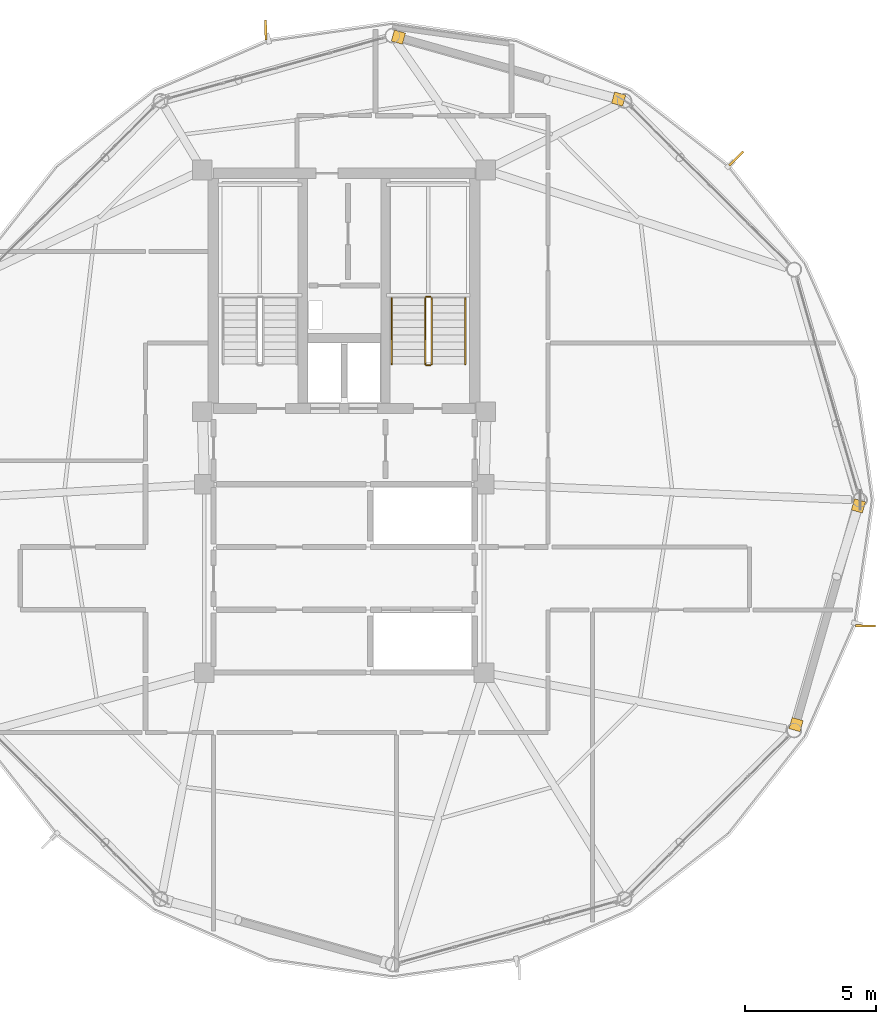
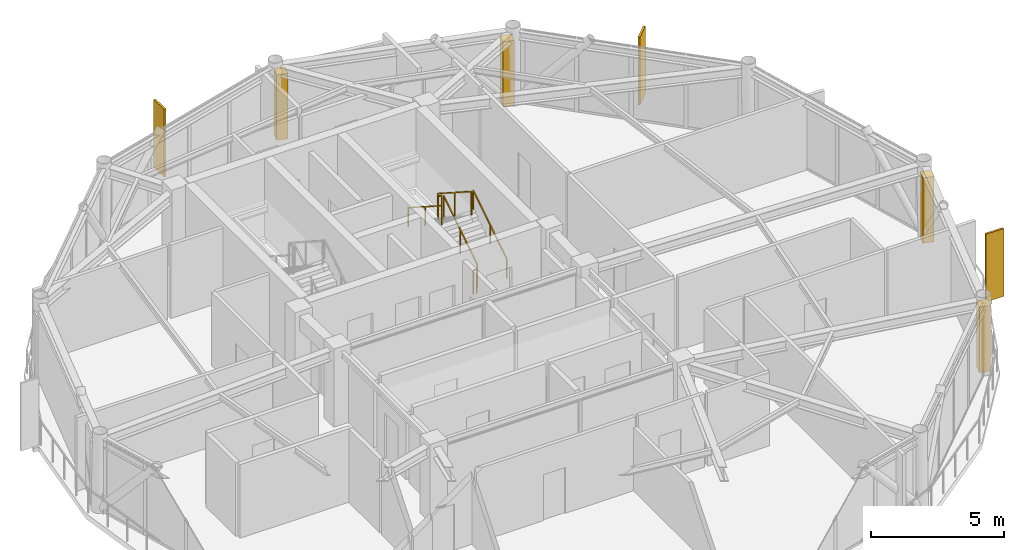
# One storey, part 24 of 24: 6 railings, 4 coverings, 3 shading devices.
"""IFC4 building model written with IfcOpenShell, lengths in metres."""

from ifc_helpers import new_model, si_unit, direction, frame, origin, origin_2d, place, context, subcontext, project, spatial, rectangle, extrude, source, transform, mapped, material, layer, layer_set, type_object, type_shapes, element, save


model = new_model("IFC4")

# Units and contexts
model_context = context("Model", 3, precision=1e-05, world=origin(), true_north=direction((0.0, 1.0)))
body_context = subcontext(model_context, "Body", "Model", "MODEL_VIEW")
ifc_project = project(units=[si_unit("LENGTHUNIT", "METRE"), si_unit("AREAUNIT", "SQUARE_METRE"), si_unit("VOLUMEUNIT", "CUBIC_METRE"), si_unit("PLANEANGLEUNIT", "RADIAN"), si_unit("MASSUNIT", "GRAM", prefix="KILO")], contexts=[model_context])

# Site, building, storey
site_placement = place(None, origin())
site = spatial("IfcSite", under=ifc_project, at=site_placement, CompositionType="ELEMENT")
building_placement = place(site_placement, origin())
building = spatial("IfcBuilding", under=site, at=building_placement, Name="Varnakorn Sky Granary", CompositionType="ELEMENT")
storey_placement = place(building_placement, frame((0.0, 0.0, 281.39990234375)))
storey = spatial("IfcBuildingStorey", under=building, at=storey_placement, Name="L72", CompositionType="ELEMENT", Elevation=281.39990234375)

# Railings
ifc_material_1 = material(Name="Brushed Stainless Steel 316", Category="steel")
railing_type_1 = type_object("IfcRailingType", Name="RL-STAIR-1100", PredefinedType="GUARDRAIL", material=ifc_material_1)
railing_1_placement = place(storey_placement, frame((6.35009765625, 5.199951171875, 0.18017578125)))
element("IfcRailing", 1, at=railing_1_placement, inside=storey, type_object=railing_type_1, Name="L72 ST-2 stair guard 1", PredefinedType="GUARDRAIL", context=body_context, shape_type="SweptSolid", body=[
    extrude(rectangle(XDim=0.048095703125, YDim=0.048095703125, at=origin_2d()), frame((0.0, 0.0, 1.076171875), z_axis=(0.0, 0.841199657755, 0.540724639528), x_axis=(-1.0, 0.0, 0.0)), (0.0, 0.0, 1.0), 2.995849609375),
    extrude(rectangle(XDim=0.0419921875, YDim=0.0419921875, at=origin_2d()), origin(), (0.0, 0.0, 1.0), 1.048095703125),
    extrude(rectangle(XDim=0.0419921875, YDim=0.0419921875, at=origin_2d()), frame((0.0, 1.260009765625, 0.81005859375)), (0.0, 0.0, 1.0), 1.048095703125),
    extrude(rectangle(XDim=0.0419921875, YDim=0.0419921875, at=origin_2d()), frame((0.0, 2.52001953125, 1.619873046875)), (0.0, 0.0, 1.0), 1.048095703125),
])
railing_2_placement = place(storey_placement, frame((6.300048828125, 7.77001953125, 1.800048828125)))
element("IfcRailing", 2, at=railing_2_placement, inside=storey, type_object=railing_type_1, Name="L72 ST-2 stair guard 2", PredefinedType="GUARDRAIL", context=body_context, shape_type="SweptSolid", body=[
    extrude(rectangle(XDim=0.048095703125, YDim=0.048095703125, at=origin_2d()), frame((0.0, 0.0, 1.076171875), z_axis=(-1.0, 0.0, 0.0), x_axis=(0.0, -1.0, 0.0)), (0.0, 0.0, 1.0), 0.150146484375),
    extrude(rectangle(XDim=0.0419921875, YDim=0.0419921875, at=origin_2d()), origin(), (0.0, 0.0, 1.0), 1.048095703125),
    extrude(rectangle(XDim=0.0419921875, YDim=0.0419921875, at=origin_2d()), frame((-0.150146484375, 0.0, 0.0)), (0.0, 0.0, 1.0), 1.048095703125),
])
railing_3_placement = place(storey_placement, frame((6.10009765625, 7.719970703125, 1.97998046875)))
element("IfcRailing", 3, at=railing_3_placement, inside=storey, type_object=railing_type_1, Name="L72 ST-2 stair guard 3", PredefinedType="GUARDRAIL", context=body_context, shape_type="SweptSolid", body=[
    extrude(rectangle(XDim=0.048095703125, YDim=0.048095703125, at=origin_2d()), frame((0.0, 0.0, 1.076171875), z_axis=(0.0, -0.841162588446, 0.540782303519), x_axis=(1.0, 0.0, 0.0)), (0.0, 0.0, 1.0), 2.995849609375),
    extrude(rectangle(XDim=0.0419921875, YDim=0.0419921875, at=origin_2d()), origin(), (0.0, 0.0, 1.0), 1.048095703125),
    extrude(rectangle(XDim=0.0419921875, YDim=0.0419921875, at=origin_2d()), frame((0.0, -1.260009765625, 0.81005859375)), (0.0, 0.0, 1.0), 1.048095703125),
    extrude(rectangle(XDim=0.0419921875, YDim=0.0419921875, at=origin_2d()), frame((0.0, -2.52001953125, 1.6201171875)), (0.0, 0.0, 1.0), 1.048095703125),
])
railing_4_placement = place(storey_placement, frame((6.300048828125, 5.14990234375, 0.0)))
element("IfcRailing", 4, at=railing_4_placement, inside=storey, type_object=railing_type_1, Name="L72 ST-2 stair guard 4", PredefinedType="GUARDRAIL", context=body_context, shape_type="SweptSolid", body=[
    extrude(rectangle(XDim=0.048095703125, YDim=0.048095703125, at=origin_2d()), frame((0.0, 0.0, 1.076171875), z_axis=(-1.0, 0.0, 0.0), x_axis=(0.0, -1.0, 0.0)), (0.0, 0.0, 1.0), 0.150146484375),
    extrude(rectangle(XDim=0.0419921875, YDim=0.0419921875, at=origin_2d()), origin(), (0.0, 0.0, 1.0), 1.048095703125),
    extrude(rectangle(XDim=0.0419921875, YDim=0.0419921875, at=origin_2d()), frame((-0.150146484375, 0.0, 0.0)), (0.0, 0.0, 1.0), 1.048095703125),
])
railing_type_2 = type_object("IfcRailingType", Name="RL-STAIR-920", PredefinedType="HANDRAIL", material=ifc_material_1)
railing_5_placement = place(storey_placement, frame((7.6298828125, 5.199951171875, 0.18017578125)))
element("IfcRailing", 5, at=railing_5_placement, inside=storey, type_object=railing_type_2, Name="L72 ST-2 stair handrail 1", PredefinedType="HANDRAIL", context=body_context, shape_type="SweptSolid", body=[
    extrude(rectangle(XDim=0.048095703125, YDim=0.048095703125, at=origin_2d()), frame((0.0, 0.0, 0.8759765625), z_axis=(0.0, 0.841199657755, 0.540724639528), x_axis=(-1.0, 0.0, 0.0)), (0.0, 0.0, 1.0), 2.995849609375),
    extrude(rectangle(XDim=0.0419921875, YDim=0.0419921875, at=origin_2d()), origin(), (0.0, 0.0, 1.0), 0.847900390625),
    extrude(rectangle(XDim=0.0419921875, YDim=0.0419921875, at=origin_2d()), frame((0.0, 1.260009765625, 0.81005859375)), (0.0, 0.0, 1.0), 0.847900390625),
    extrude(rectangle(XDim=0.0419921875, YDim=0.0419921875, at=origin_2d()), frame((0.0, 2.52001953125, 1.619873046875)), (0.0, 0.0, 1.0), 0.847900390625),
])
railing_6_placement = place(storey_placement, frame((4.820068359375, 7.719970703125, 1.97998046875)))
element("IfcRailing", 6, at=railing_6_placement, inside=storey, type_object=railing_type_2, Name="L72 ST-2 stair handrail 2", PredefinedType="HANDRAIL", context=body_context, shape_type="SweptSolid", body=[
    extrude(rectangle(XDim=0.048095703125, YDim=0.048095703125, at=origin_2d()), frame((0.0, 0.0, 0.8759765625), z_axis=(0.0, -0.841162588446, 0.540782303519), x_axis=(1.0, 0.0, 0.0)), (0.0, 0.0, 1.0), 2.995849609375),
    extrude(rectangle(XDim=0.0419921875, YDim=0.0419921875, at=origin_2d()), origin(), (0.0, 0.0, 1.0), 0.847900390625),
    extrude(rectangle(XDim=0.0419921875, YDim=0.0419921875, at=origin_2d()), frame((0.0, -1.260009765625, 0.81005859375)), (0.0, 0.0, 1.0), 0.847900390625),
    extrude(rectangle(XDim=0.0419921875, YDim=0.0419921875, at=origin_2d()), frame((0.0, -2.52001953125, 1.6201171875)), (0.0, 0.0, 1.0), 0.847900390625),
])

# Coverings
ifc_material_2 = material(Name="Anodised Bronze Aluminium Alloy 6063-T6", Category="aluminium")
ifc_layer = layer(ifc_material_2, 0.050048828125, Name="Anodised Bronze Aluminium Alloy 6063-T6")
ifc_layer_set = layer_set([ifc_layer], Name="Anodised Bronze Aluminium Alloy 6063-T6")
covering_type = type_object("IfcCoveringType", Name="CV-CLAD-50", PredefinedType="CLADDING", material=ifc_layer_set)
shared_shape_1 = source(origin(), body_context, "Body", "SweptSolid", [
    extrude(rectangle(XDim=0.43994140625, YDim=0.43994140625, at=origin_2d()), origin(), (0.0, 0.0, 1.0), 2.989990234375),
])
type_shapes(covering_type, [shared_shape_1])
for number, where, z_axis, x_axis, name in (
    (7, (5.07568359375, 17.70458984375, -0.02001953125), (0.0, 0.0, 1.0), (0.962597230403, -0.270936472296, 0.0), "Bronze Corner Pilaster Closure L72-P03-A"),
    (8, (13.499267578125, 15.333984375, -0.02001953125), (0.0, 0.0, 1.0), (0.962597230403, -0.270936472296, 0.0), "Bronze Corner Pilaster Closure L72-P03-B"),
    (9, (22.670654296875, -0.2255859375, -0.02001953125), (0.0, 0.0, 1.0), (-0.274127070043, -0.961693479997, 0.0), "Bronze Corner Pilaster Closure L72-P12-A"),
    (10, (20.286376953125, -8.591064453125, -0.02001953125), (0.0, 0.0, 1.0), (-0.274127070043, -0.961693479997, 0.0), "Bronze Corner Pilaster Closure L72-P12-B"),
):
    element("IfcCovering", number, at=place(storey_placement, frame(where, z_axis=z_axis, x_axis=x_axis)), inside=storey, type_object=covering_type, Name=name, PredefinedType="CLADDING", context=body_context, shape_type="MappedRepresentation", body=[
        mapped(shared_shape_1, transform((0.0, 0.0, 0.0), x_axis=(1.0, 0.0, 0.0), y_axis=(0.0, 1.0, 0.0), z_axis=(0.0, 0.0, 1.0), scale=1.0)),
    ])

# Shading devices
shading_device_type = type_object("IfcShadingDeviceType", Name="SH-FIN-03", PredefinedType="USERDEFINED", material=ifc_material_2)
shared_shape_2 = source(origin(), body_context, "Body", "SweptSolid", [
    extrude(rectangle(XDim=0.0849609375, YDim=0.760009765625, at=origin_2d()), origin(), (0.0, 0.0, 1.0), 3.10009765625),
])
type_shapes(shading_device_type, [shared_shape_2])
for number, where, z_axis, x_axis, name in (
    (11, (17.999755859375, 13.064697265625, -0.0400390625), (0.0, 0.0, 1.0), (-0.706094911595, 0.708117204861, 0.0), "Bronze Solar-Tracking Vertical Blade FIN L72-02"),
    (12, (0.001708984375, 17.978515625, -0.0400390625), (0.0, 0.0, 1.0), (-0.999757600889, -0.022016799605, 0.0), "Bronze Solar-Tracking Vertical Blade FIN L72-04"),
    (13, (22.94189453125, -4.816650390625, -0.0400390625), (0.0, 0.0, 1.0), (0.01790733424, 0.999839650834, 0.0), "Bronze Solar-Tracking Vertical Blade FIN L72-12"),
):
    element("IfcShadingDevice", number, at=place(storey_placement, frame(where, z_axis=z_axis, x_axis=x_axis)), inside=storey, type_object=shading_device_type, Name=name, ObjectType="FIN", PredefinedType="USERDEFINED", context=body_context, shape_type="MappedRepresentation", body=[
        mapped(shared_shape_2, transform((0.0, 0.0, 0.0), x_axis=(1.0, 0.0, 0.0), y_axis=(0.0, 1.0, 0.0), z_axis=(0.0, 0.0, 1.0), scale=1.0)),
    ])

save(model, "model.ifc")
